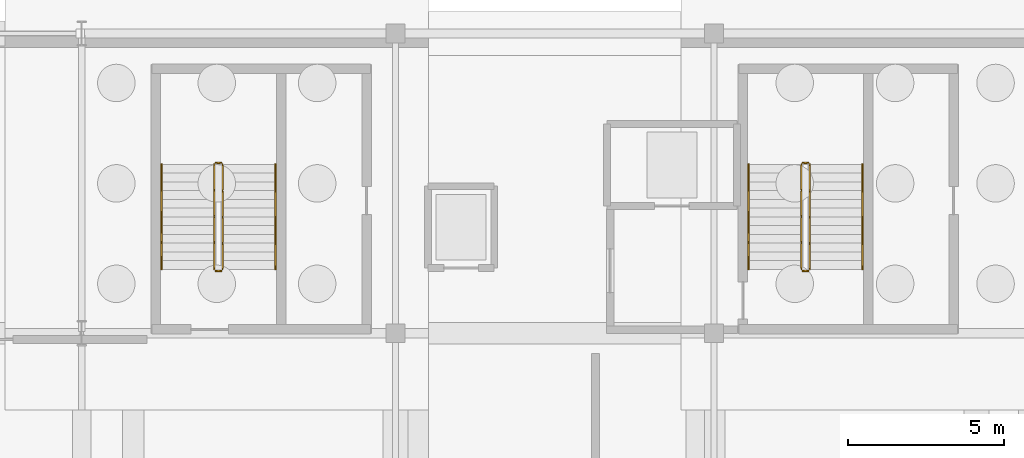
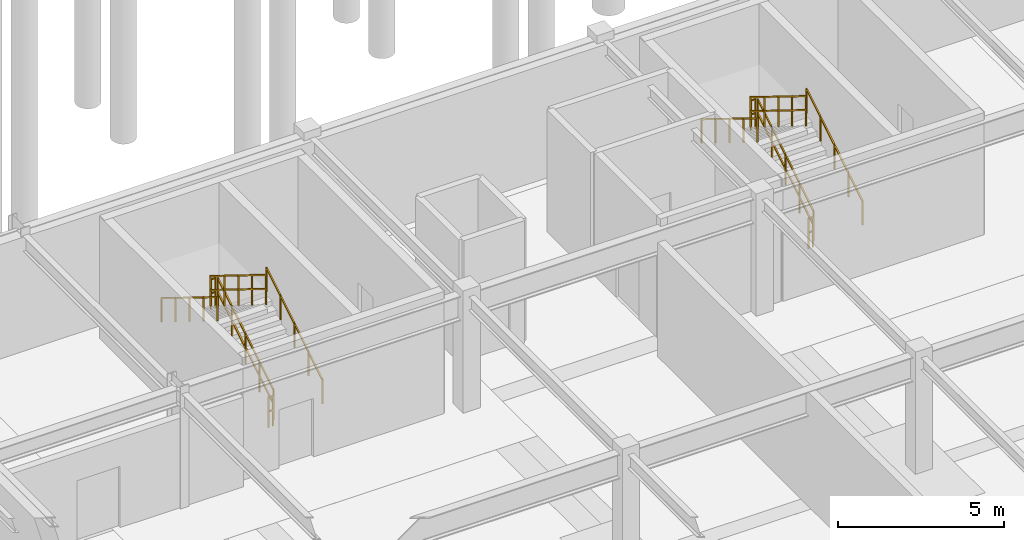
# One storey, part 51 of 59: 12 railings.
"""IFC4 building model written with IfcOpenShell, lengths in metres."""

from ifc_helpers import new_model, si_unit, direction, frame, origin, origin_2d, place, context, subcontext, project, spatial, rectangle, extrude, material, type_object, element, save


model = new_model("IFC4")

# Units and contexts
model_context = context("Model", 3, precision=1e-05, world=origin(), true_north=direction((0.0, 1.0)))
body_context = subcontext(model_context, "Body", "Model", "MODEL_VIEW")
ifc_project = project(units=[si_unit("LENGTHUNIT", "METRE"), si_unit("AREAUNIT", "SQUARE_METRE"), si_unit("VOLUMEUNIT", "CUBIC_METRE"), si_unit("PLANEANGLEUNIT", "RADIAN"), si_unit("MASSUNIT", "GRAM", prefix="KILO")], contexts=[model_context])

# Site, building, storey
site_placement = place(None, origin())
site = spatial("IfcSite", under=ifc_project, at=site_placement, CompositionType="ELEMENT")
building_placement = place(site_placement, origin())
building = spatial("IfcBuilding", under=site, at=building_placement, Name="Myrtia Square Station", CompositionType="ELEMENT")
storey_placement = place(building_placement, frame((0.0, 0.0, -4.5)))
storey = spatial("IfcBuildingStorey", under=building, at=storey_placement, Name="B01", CompositionType="ELEMENT", Elevation=-4.5)

# Railings
ifc_material_1 = material(Name="Dark bronze anodised aluminium", Category="aluminium")
railing_type_1 = type_object("IfcRailingType", Name="RL-HANDRAIL-900", PredefinedType="HANDRAIL", material=ifc_material_1)
railing_1_placement = place(storey_placement, frame((85.56005859375, 88.449951171875, 0.173095703125)))
element("IfcRailing", 1, at=railing_1_placement, inside=storey, type_object=railing_type_1, Name="B01 ST02 stair handrail 1", PredefinedType="HANDRAIL", context=body_context, shape_type="SweptSolid", body=[
    extrude(rectangle(XDim=0.048095703125, YDim=0.048095703125, at=origin_2d()), frame((0.0, 0.029541015625, 0.89404296875), z_axis=(0.0, 0.850623216509, 0.525775754039), x_axis=(-1.0, 0.0, 0.0)), (0.0, 0.0, 1.0), 0.918212890625),
    extrude(rectangle(XDim=0.048095703125, YDim=0.048095703125, at=origin_2d()), frame((0.0, 0.869384765625, 1.413330078125), z_axis=(0.0, 0.850623216509, 0.525775754039), x_axis=(-1.0, 0.0, 0.0)), (0.0, 0.0, 1.0), 0.918212890625),
    extrude(rectangle(XDim=0.048095703125, YDim=0.048095703125, at=origin_2d()), frame((0.0, 1.70947265625, 1.9326171875), z_axis=(0.0, 0.850623216509, 0.525775754039), x_axis=(-1.0, 0.0, 0.0)), (0.0, 0.0, 1.0), 0.918212890625),
    extrude(rectangle(XDim=0.048095703125, YDim=0.048095703125, at=origin_2d()), frame((0.0, 2.549560546875, 2.45166015625), z_axis=(0.0, 0.850623216509, 0.525775754039), x_axis=(-1.0, 0.0, 0.0)), (0.0, 0.0, 1.0), 0.918212890625),
    extrude(rectangle(XDim=0.0439453125, YDim=0.0439453125, at=origin_2d()), origin(), (0.0, 0.0, 1.0), 0.89990234375),
    extrude(rectangle(XDim=0.0439453125, YDim=0.0439453125, at=origin_2d()), frame((0.0, 0.840087890625, 0.519287109375)), (0.0, 0.0, 1.0), 0.89990234375),
    extrude(rectangle(XDim=0.0439453125, YDim=0.0439453125, at=origin_2d()), frame((0.0, 1.68017578125, 1.03857421875)), (0.0, 0.0, 1.0), 0.89990234375),
    extrude(rectangle(XDim=0.0439453125, YDim=0.0439453125, at=origin_2d()), frame((0.0, 2.52001953125, 1.5576171875)), (0.0, 0.0, 1.0), 0.89990234375),
    extrude(rectangle(XDim=0.0439453125, YDim=0.0439453125, at=origin_2d()), frame((0.0, 3.360107421875, 2.076904296875)), (0.0, 0.0, 1.0), 0.89990234375),
])
railing_2_placement = place(storey_placement, frame((81.89990234375, 91.81005859375, 2.423095703125)))
element("IfcRailing", 2, at=railing_2_placement, inside=storey, type_object=railing_type_1, Name="B01 ST02 stair handrail 2", PredefinedType="HANDRAIL", context=body_context, shape_type="SweptSolid", body=[
    extrude(rectangle(XDim=0.048095703125, YDim=0.048095703125, at=origin_2d()), frame((0.0, -0.029541015625, 0.89404296875), z_axis=(0.0, -0.850623216509, 0.525775754039), x_axis=(1.0, 0.0, 0.0)), (0.0, 0.0, 1.0), 0.918212890625),
    extrude(rectangle(XDim=0.048095703125, YDim=0.048095703125, at=origin_2d()), frame((0.0, -0.869384765625, 1.413330078125), z_axis=(0.0, -0.850623216509, 0.525775754039), x_axis=(1.0, 0.0, 0.0)), (0.0, 0.0, 1.0), 0.918212890625),
    extrude(rectangle(XDim=0.048095703125, YDim=0.048095703125, at=origin_2d()), frame((0.0, -1.70947265625, 1.9326171875), z_axis=(0.0, -0.850623216509, 0.525775754039), x_axis=(1.0, 0.0, 0.0)), (0.0, 0.0, 1.0), 0.918212890625),
    extrude(rectangle(XDim=0.048095703125, YDim=0.048095703125, at=origin_2d()), frame((0.0, -2.549560546875, 2.45166015625), z_axis=(0.0, -0.850623216509, 0.525775754039), x_axis=(1.0, 0.0, 0.0)), (0.0, 0.0, 1.0), 0.918212890625),
    extrude(rectangle(XDim=0.0439453125, YDim=0.0439453125, at=origin_2d()), origin(), (0.0, 0.0, 1.0), 0.89990234375),
    extrude(rectangle(XDim=0.0439453125, YDim=0.0439453125, at=origin_2d()), frame((0.0, -0.840087890625, 0.519287109375)), (0.0, 0.0, 1.0), 0.89990234375),
    extrude(rectangle(XDim=0.0439453125, YDim=0.0439453125, at=origin_2d()), frame((0.0, -1.68017578125, 1.03857421875)), (0.0, 0.0, 1.0), 0.89990234375),
    extrude(rectangle(XDim=0.0439453125, YDim=0.0439453125, at=origin_2d()), frame((0.0, -2.52001953125, 1.5576171875)), (0.0, 0.0, 1.0), 0.89990234375),
    extrude(rectangle(XDim=0.0439453125, YDim=0.0439453125, at=origin_2d()), frame((0.0, -3.360107421875, 2.076904296875)), (0.0, 0.0, 1.0), 0.89990234375),
])
railing_3_placement = place(storey_placement, frame((104.360107421875, 88.449951171875, 0.173095703125)))
element("IfcRailing", 3, at=railing_3_placement, inside=storey, type_object=railing_type_1, Name="B01 ST04 stair handrail 1", PredefinedType="HANDRAIL", context=body_context, shape_type="SweptSolid", body=[
    extrude(rectangle(XDim=0.048095703125, YDim=0.048095703125, at=origin_2d()), frame((0.0, 0.029541015625, 0.89404296875), z_axis=(0.0, 0.850623216509, 0.525775754039), x_axis=(-1.0, 0.0, 0.0)), (0.0, 0.0, 1.0), 0.918212890625),
    extrude(rectangle(XDim=0.048095703125, YDim=0.048095703125, at=origin_2d()), frame((0.0, 0.869384765625, 1.413330078125), z_axis=(0.0, 0.850623216509, 0.525775754039), x_axis=(-1.0, 0.0, 0.0)), (0.0, 0.0, 1.0), 0.918212890625),
    extrude(rectangle(XDim=0.048095703125, YDim=0.048095703125, at=origin_2d()), frame((0.0, 1.70947265625, 1.9326171875), z_axis=(0.0, 0.850623216509, 0.525775754039), x_axis=(-1.0, 0.0, 0.0)), (0.0, 0.0, 1.0), 0.918212890625),
    extrude(rectangle(XDim=0.048095703125, YDim=0.048095703125, at=origin_2d()), frame((0.0, 2.549560546875, 2.45166015625), z_axis=(0.0, 0.850623216509, 0.525775754039), x_axis=(-1.0, 0.0, 0.0)), (0.0, 0.0, 1.0), 0.918212890625),
    extrude(rectangle(XDim=0.0439453125, YDim=0.0439453125, at=origin_2d()), origin(), (0.0, 0.0, 1.0), 0.89990234375),
    extrude(rectangle(XDim=0.0439453125, YDim=0.0439453125, at=origin_2d()), frame((0.0, 0.840087890625, 0.519287109375)), (0.0, 0.0, 1.0), 0.89990234375),
    extrude(rectangle(XDim=0.0439453125, YDim=0.0439453125, at=origin_2d()), frame((0.0, 1.68017578125, 1.03857421875)), (0.0, 0.0, 1.0), 0.89990234375),
    extrude(rectangle(XDim=0.0439453125, YDim=0.0439453125, at=origin_2d()), frame((0.0, 2.52001953125, 1.5576171875)), (0.0, 0.0, 1.0), 0.89990234375),
    extrude(rectangle(XDim=0.0439453125, YDim=0.0439453125, at=origin_2d()), frame((0.0, 3.360107421875, 2.076904296875)), (0.0, 0.0, 1.0), 0.89990234375),
])
railing_4_placement = place(storey_placement, frame((100.699951171875, 91.81005859375, 2.423095703125)))
element("IfcRailing", 4, at=railing_4_placement, inside=storey, type_object=railing_type_1, Name="B01 ST04 stair handrail 2", PredefinedType="HANDRAIL", context=body_context, shape_type="SweptSolid", body=[
    extrude(rectangle(XDim=0.048095703125, YDim=0.048095703125, at=origin_2d()), frame((0.0, -0.029541015625, 0.89404296875), z_axis=(0.0, -0.850623216509, 0.525775754039), x_axis=(1.0, 0.0, 0.0)), (0.0, 0.0, 1.0), 0.918212890625),
    extrude(rectangle(XDim=0.048095703125, YDim=0.048095703125, at=origin_2d()), frame((0.0, -0.869384765625, 1.413330078125), z_axis=(0.0, -0.850623216509, 0.525775754039), x_axis=(1.0, 0.0, 0.0)), (0.0, 0.0, 1.0), 0.918212890625),
    extrude(rectangle(XDim=0.048095703125, YDim=0.048095703125, at=origin_2d()), frame((0.0, -1.70947265625, 1.9326171875), z_axis=(0.0, -0.850623216509, 0.525775754039), x_axis=(1.0, 0.0, 0.0)), (0.0, 0.0, 1.0), 0.918212890625),
    extrude(rectangle(XDim=0.048095703125, YDim=0.048095703125, at=origin_2d()), frame((0.0, -2.549560546875, 2.45166015625), z_axis=(0.0, -0.850623216509, 0.525775754039), x_axis=(1.0, 0.0, 0.0)), (0.0, 0.0, 1.0), 0.918212890625),
    extrude(rectangle(XDim=0.0439453125, YDim=0.0439453125, at=origin_2d()), origin(), (0.0, 0.0, 1.0), 0.89990234375),
    extrude(rectangle(XDim=0.0439453125, YDim=0.0439453125, at=origin_2d()), frame((0.0, -0.840087890625, 0.519287109375)), (0.0, 0.0, 1.0), 0.89990234375),
    extrude(rectangle(XDim=0.0439453125, YDim=0.0439453125, at=origin_2d()), frame((0.0, -1.68017578125, 1.03857421875)), (0.0, 0.0, 1.0), 0.89990234375),
    extrude(rectangle(XDim=0.0439453125, YDim=0.0439453125, at=origin_2d()), frame((0.0, -2.52001953125, 1.5576171875)), (0.0, 0.0, 1.0), 0.89990234375),
    extrude(rectangle(XDim=0.0439453125, YDim=0.0439453125, at=origin_2d()), frame((0.0, -3.360107421875, 2.076904296875)), (0.0, 0.0, 1.0), 0.89990234375),
])
ifc_material_2 = material(Name="Wrought iron", Category="steel")
railing_type_2 = type_object("IfcRailingType", Name="RL-INT-GUARD-1100", PredefinedType="BALUSTRADE", material=ifc_material_2)
railing_5_placement = place(storey_placement, frame((83.860107421875, 88.449951171875, 0.173095703125)))
element("IfcRailing", 5, at=railing_5_placement, inside=storey, type_object=railing_type_2, Name="B01 ST02 stair guard 1", PredefinedType="BALUSTRADE", context=body_context, shape_type="SweptSolid", body=[
    extrude(rectangle(XDim=0.048095703125, YDim=0.048095703125, at=origin_2d()), frame((0.0, 0.029541015625, 1.1142578125), z_axis=(0.0, 0.850623216509, 0.525775754039), x_axis=(-1.0, 0.0, 0.0)), (0.0, 0.0, 1.0), 0.918212890625),
    extrude(rectangle(XDim=0.048095703125, YDim=0.048095703125, at=origin_2d()), frame((0.0, 0.029541015625, 0.6005859375), z_axis=(0.0, 0.850623216509, 0.525775754039), x_axis=(-1.0, 0.0, 0.0)), (0.0, 0.0, 1.0), 0.918212890625),
    extrude(rectangle(XDim=0.048095703125, YDim=0.048095703125, at=origin_2d()), frame((0.0, 0.869384765625, 1.633544921875), z_axis=(0.0, 0.850623216509, 0.525775754039), x_axis=(-1.0, 0.0, 0.0)), (0.0, 0.0, 1.0), 0.918212890625),
    extrude(rectangle(XDim=0.048095703125, YDim=0.048095703125, at=origin_2d()), frame((0.0, 0.869384765625, 1.119873046875), z_axis=(0.0, 0.850623216509, 0.525775754039), x_axis=(-1.0, 0.0, 0.0)), (0.0, 0.0, 1.0), 0.918212890625),
    extrude(rectangle(XDim=0.048095703125, YDim=0.048095703125, at=origin_2d()), frame((0.0, 1.70947265625, 2.15283203125), z_axis=(0.0, 0.850623216509, 0.525775754039), x_axis=(-1.0, 0.0, 0.0)), (0.0, 0.0, 1.0), 0.918212890625),
    extrude(rectangle(XDim=0.048095703125, YDim=0.048095703125, at=origin_2d()), frame((0.0, 1.70947265625, 1.63916015625), z_axis=(0.0, 0.850623216509, 0.525775754039), x_axis=(-1.0, 0.0, 0.0)), (0.0, 0.0, 1.0), 0.918212890625),
    extrude(rectangle(XDim=0.048095703125, YDim=0.048095703125, at=origin_2d()), frame((0.0, 2.549560546875, 2.671875), z_axis=(0.0, 0.850623216509, 0.525775754039), x_axis=(-1.0, 0.0, 0.0)), (0.0, 0.0, 1.0), 0.918212890625),
    extrude(rectangle(XDim=0.048095703125, YDim=0.048095703125, at=origin_2d()), frame((0.0, 2.549560546875, 2.158447265625), z_axis=(0.0, 0.850623216509, 0.525775754039), x_axis=(-1.0, 0.0, 0.0)), (0.0, 0.0, 1.0), 0.918212890625),
    extrude(rectangle(XDim=0.0439453125, YDim=0.0439453125, at=origin_2d()), origin(), (0.0, 0.0, 1.0), 1.1201171875),
    extrude(rectangle(XDim=0.0439453125, YDim=0.0439453125, at=origin_2d()), frame((0.0, 0.840087890625, 0.519287109375)), (0.0, 0.0, 1.0), 1.1201171875),
    extrude(rectangle(XDim=0.0439453125, YDim=0.0439453125, at=origin_2d()), frame((0.0, 1.68017578125, 1.03857421875)), (0.0, 0.0, 1.0), 1.1201171875),
    extrude(rectangle(XDim=0.0439453125, YDim=0.0439453125, at=origin_2d()), frame((0.0, 2.52001953125, 1.5576171875)), (0.0, 0.0, 1.0), 1.1201171875),
    extrude(rectangle(XDim=0.0439453125, YDim=0.0439453125, at=origin_2d()), frame((0.0, 3.360107421875, 2.076904296875)), (0.0, 0.0, 1.0), 1.1201171875),
])
railing_6_placement = place(storey_placement, frame((83.81005859375, 91.860107421875, 2.25)))
element("IfcRailing", 6, at=railing_6_placement, inside=storey, type_object=railing_type_2, Name="B01 ST02 stair guard 2", PredefinedType="BALUSTRADE", context=body_context, shape_type="SweptSolid", body=[
    extrude(rectangle(XDim=0.048095703125, YDim=0.048095703125, at=origin_2d()), frame((-0.03466796875, 0.0, 1.09619140625), z_axis=(-1.0, 0.0, 0.0), x_axis=(0.0, -1.0, 0.0)), (0.0, 0.0, 1.0), 0.0908203125),
    extrude(rectangle(XDim=0.048095703125, YDim=0.048095703125, at=origin_2d()), frame((-0.03466796875, 0.0, 0.58251953125), z_axis=(-1.0, 0.0, 0.0), x_axis=(0.0, -1.0, 0.0)), (0.0, 0.0, 1.0), 0.0908203125),
    extrude(rectangle(XDim=0.0439453125, YDim=0.0439453125, at=origin_2d()), origin(), (0.0, 0.0, 1.0), 1.1201171875),
    extrude(rectangle(XDim=0.0439453125, YDim=0.0439453125, at=origin_2d()), frame((-0.16015625, 0.0, 0.0)), (0.0, 0.0, 1.0), 1.1201171875),
])
railing_7_placement = place(storey_placement, frame((83.60009765625, 91.81005859375, 2.423095703125)))
element("IfcRailing", 7, at=railing_7_placement, inside=storey, type_object=railing_type_2, Name="B01 ST02 stair guard 3", PredefinedType="BALUSTRADE", context=body_context, shape_type="SweptSolid", body=[
    extrude(rectangle(XDim=0.048095703125, YDim=0.048095703125, at=origin_2d()), frame((0.0, -0.029541015625, 1.1142578125), z_axis=(0.0, -0.850623216509, 0.525775754039), x_axis=(1.0, 0.0, 0.0)), (0.0, 0.0, 1.0), 0.918212890625),
    extrude(rectangle(XDim=0.048095703125, YDim=0.048095703125, at=origin_2d()), frame((0.0, -0.029541015625, 0.6005859375), z_axis=(0.0, -0.850623216509, 0.525775754039), x_axis=(1.0, 0.0, 0.0)), (0.0, 0.0, 1.0), 0.918212890625),
    extrude(rectangle(XDim=0.048095703125, YDim=0.048095703125, at=origin_2d()), frame((0.0, -0.869384765625, 1.633544921875), z_axis=(0.0, -0.850623216509, 0.525775754039), x_axis=(1.0, 0.0, 0.0)), (0.0, 0.0, 1.0), 0.918212890625),
    extrude(rectangle(XDim=0.048095703125, YDim=0.048095703125, at=origin_2d()), frame((0.0, -0.869384765625, 1.119873046875), z_axis=(0.0, -0.850623216509, 0.525775754039), x_axis=(1.0, 0.0, 0.0)), (0.0, 0.0, 1.0), 0.918212890625),
    extrude(rectangle(XDim=0.048095703125, YDim=0.048095703125, at=origin_2d()), frame((0.0, -1.70947265625, 2.15283203125), z_axis=(0.0, -0.850623216509, 0.525775754039), x_axis=(1.0, 0.0, 0.0)), (0.0, 0.0, 1.0), 0.918212890625),
    extrude(rectangle(XDim=0.048095703125, YDim=0.048095703125, at=origin_2d()), frame((0.0, -1.70947265625, 1.63916015625), z_axis=(0.0, -0.850623216509, 0.525775754039), x_axis=(1.0, 0.0, 0.0)), (0.0, 0.0, 1.0), 0.918212890625),
    extrude(rectangle(XDim=0.048095703125, YDim=0.048095703125, at=origin_2d()), frame((0.0, -2.549560546875, 2.671875), z_axis=(0.0, -0.850623216509, 0.525775754039), x_axis=(1.0, 0.0, 0.0)), (0.0, 0.0, 1.0), 0.918212890625),
    extrude(rectangle(XDim=0.048095703125, YDim=0.048095703125, at=origin_2d()), frame((0.0, -2.549560546875, 2.158447265625), z_axis=(0.0, -0.850623216509, 0.525775754039), x_axis=(1.0, 0.0, 0.0)), (0.0, 0.0, 1.0), 0.918212890625),
    extrude(rectangle(XDim=0.0439453125, YDim=0.0439453125, at=origin_2d()), origin(), (0.0, 0.0, 1.0), 1.1201171875),
    extrude(rectangle(XDim=0.0439453125, YDim=0.0439453125, at=origin_2d()), frame((0.0, -0.840087890625, 0.519287109375)), (0.0, 0.0, 1.0), 1.1201171875),
    extrude(rectangle(XDim=0.0439453125, YDim=0.0439453125, at=origin_2d()), frame((0.0, -1.68017578125, 1.03857421875)), (0.0, 0.0, 1.0), 1.1201171875),
    extrude(rectangle(XDim=0.0439453125, YDim=0.0439453125, at=origin_2d()), frame((0.0, -2.52001953125, 1.5576171875)), (0.0, 0.0, 1.0), 1.1201171875),
    extrude(rectangle(XDim=0.0439453125, YDim=0.0439453125, at=origin_2d()), frame((0.0, -3.360107421875, 2.076904296875)), (0.0, 0.0, 1.0), 1.1201171875),
])
railing_8_placement = place(storey_placement, frame((83.81005859375, 88.39990234375, 0.0)))
element("IfcRailing", 8, at=railing_8_placement, inside=storey, type_object=railing_type_2, Name="B01 ST02 stair guard 4", PredefinedType="BALUSTRADE", context=body_context, shape_type="SweptSolid", body=[
    extrude(rectangle(XDim=0.048095703125, YDim=0.048095703125, at=origin_2d()), frame((-0.03466796875, 0.0, 1.09619140625), z_axis=(-1.0, 0.0, 0.0), x_axis=(0.0, -1.0, 0.0)), (0.0, 0.0, 1.0), 0.0908203125),
    extrude(rectangle(XDim=0.048095703125, YDim=0.048095703125, at=origin_2d()), frame((-0.03466796875, 0.0, 0.58251953125), z_axis=(-1.0, 0.0, 0.0), x_axis=(0.0, -1.0, 0.0)), (0.0, 0.0, 1.0), 0.0908203125),
    extrude(rectangle(XDim=0.0439453125, YDim=0.0439453125, at=origin_2d()), origin(), (0.0, 0.0, 1.0), 1.1201171875),
    extrude(rectangle(XDim=0.0439453125, YDim=0.0439453125, at=origin_2d()), frame((-0.16015625, 0.0, 0.0)), (0.0, 0.0, 1.0), 1.1201171875),
])
railing_9_placement = place(storey_placement, frame((102.659912109375, 88.449951171875, 0.173095703125)))
element("IfcRailing", 9, at=railing_9_placement, inside=storey, type_object=railing_type_2, Name="B01 ST04 stair guard 1", PredefinedType="BALUSTRADE", context=body_context, shape_type="SweptSolid", body=[
    extrude(rectangle(XDim=0.048095703125, YDim=0.048095703125, at=origin_2d()), frame((0.0, 0.029541015625, 1.1142578125), z_axis=(0.0, 0.850623216509, 0.525775754039), x_axis=(-1.0, 0.0, 0.0)), (0.0, 0.0, 1.0), 0.918212890625),
    extrude(rectangle(XDim=0.048095703125, YDim=0.048095703125, at=origin_2d()), frame((0.0, 0.029541015625, 0.6005859375), z_axis=(0.0, 0.850623216509, 0.525775754039), x_axis=(-1.0, 0.0, 0.0)), (0.0, 0.0, 1.0), 0.918212890625),
    extrude(rectangle(XDim=0.048095703125, YDim=0.048095703125, at=origin_2d()), frame((0.0, 0.869384765625, 1.633544921875), z_axis=(0.0, 0.850623216509, 0.525775754039), x_axis=(-1.0, 0.0, 0.0)), (0.0, 0.0, 1.0), 0.918212890625),
    extrude(rectangle(XDim=0.048095703125, YDim=0.048095703125, at=origin_2d()), frame((0.0, 0.869384765625, 1.119873046875), z_axis=(0.0, 0.850623216509, 0.525775754039), x_axis=(-1.0, 0.0, 0.0)), (0.0, 0.0, 1.0), 0.918212890625),
    extrude(rectangle(XDim=0.048095703125, YDim=0.048095703125, at=origin_2d()), frame((0.0, 1.70947265625, 2.15283203125), z_axis=(0.0, 0.850623216509, 0.525775754039), x_axis=(-1.0, 0.0, 0.0)), (0.0, 0.0, 1.0), 0.918212890625),
    extrude(rectangle(XDim=0.048095703125, YDim=0.048095703125, at=origin_2d()), frame((0.0, 1.70947265625, 1.63916015625), z_axis=(0.0, 0.850623216509, 0.525775754039), x_axis=(-1.0, 0.0, 0.0)), (0.0, 0.0, 1.0), 0.918212890625),
    extrude(rectangle(XDim=0.048095703125, YDim=0.048095703125, at=origin_2d()), frame((0.0, 2.549560546875, 2.671875), z_axis=(0.0, 0.850623216509, 0.525775754039), x_axis=(-1.0, 0.0, 0.0)), (0.0, 0.0, 1.0), 0.918212890625),
    extrude(rectangle(XDim=0.048095703125, YDim=0.048095703125, at=origin_2d()), frame((0.0, 2.549560546875, 2.158447265625), z_axis=(0.0, 0.850623216509, 0.525775754039), x_axis=(-1.0, 0.0, 0.0)), (0.0, 0.0, 1.0), 0.918212890625),
    extrude(rectangle(XDim=0.0439453125, YDim=0.0439453125, at=origin_2d()), origin(), (0.0, 0.0, 1.0), 1.1201171875),
    extrude(rectangle(XDim=0.0439453125, YDim=0.0439453125, at=origin_2d()), frame((0.0, 0.840087890625, 0.519287109375)), (0.0, 0.0, 1.0), 1.1201171875),
    extrude(rectangle(XDim=0.0439453125, YDim=0.0439453125, at=origin_2d()), frame((0.0, 1.68017578125, 1.03857421875)), (0.0, 0.0, 1.0), 1.1201171875),
    extrude(rectangle(XDim=0.0439453125, YDim=0.0439453125, at=origin_2d()), frame((0.0, 2.52001953125, 1.5576171875)), (0.0, 0.0, 1.0), 1.1201171875),
    extrude(rectangle(XDim=0.0439453125, YDim=0.0439453125, at=origin_2d()), frame((0.0, 3.360107421875, 2.076904296875)), (0.0, 0.0, 1.0), 1.1201171875),
])
railing_10_placement = place(storey_placement, frame((102.610107421875, 91.860107421875, 2.25)))
element("IfcRailing", 10, at=railing_10_placement, inside=storey, type_object=railing_type_2, Name="B01 ST04 stair guard 2", PredefinedType="BALUSTRADE", context=body_context, shape_type="SweptSolid", body=[
    extrude(rectangle(XDim=0.048095703125, YDim=0.048095703125, at=origin_2d()), frame((-0.03466796875, 0.0, 1.09619140625), z_axis=(-1.0, 0.0, 0.0), x_axis=(0.0, -1.0, 0.0)), (0.0, 0.0, 1.0), 0.0908203125),
    extrude(rectangle(XDim=0.048095703125, YDim=0.048095703125, at=origin_2d()), frame((-0.03466796875, 0.0, 0.58251953125), z_axis=(-1.0, 0.0, 0.0), x_axis=(0.0, -1.0, 0.0)), (0.0, 0.0, 1.0), 0.0908203125),
    extrude(rectangle(XDim=0.0439453125, YDim=0.0439453125, at=origin_2d()), origin(), (0.0, 0.0, 1.0), 1.1201171875),
    extrude(rectangle(XDim=0.0439453125, YDim=0.0439453125, at=origin_2d()), frame((-0.16015625, 0.0, 0.0)), (0.0, 0.0, 1.0), 1.1201171875),
])
railing_11_placement = place(storey_placement, frame((102.39990234375, 91.81005859375, 2.423095703125)))
element("IfcRailing", 11, at=railing_11_placement, inside=storey, type_object=railing_type_2, Name="B01 ST04 stair guard 3", PredefinedType="BALUSTRADE", context=body_context, shape_type="SweptSolid", body=[
    extrude(rectangle(XDim=0.048095703125, YDim=0.048095703125, at=origin_2d()), frame((0.0, -0.029541015625, 1.1142578125), z_axis=(0.0, -0.850623216509, 0.525775754039), x_axis=(1.0, 0.0, 0.0)), (0.0, 0.0, 1.0), 0.918212890625),
    extrude(rectangle(XDim=0.048095703125, YDim=0.048095703125, at=origin_2d()), frame((0.0, -0.029541015625, 0.6005859375), z_axis=(0.0, -0.850623216509, 0.525775754039), x_axis=(1.0, 0.0, 0.0)), (0.0, 0.0, 1.0), 0.918212890625),
    extrude(rectangle(XDim=0.048095703125, YDim=0.048095703125, at=origin_2d()), frame((0.0, -0.869384765625, 1.633544921875), z_axis=(0.0, -0.850623216509, 0.525775754039), x_axis=(1.0, 0.0, 0.0)), (0.0, 0.0, 1.0), 0.918212890625),
    extrude(rectangle(XDim=0.048095703125, YDim=0.048095703125, at=origin_2d()), frame((0.0, -0.869384765625, 1.119873046875), z_axis=(0.0, -0.850623216509, 0.525775754039), x_axis=(1.0, 0.0, 0.0)), (0.0, 0.0, 1.0), 0.918212890625),
    extrude(rectangle(XDim=0.048095703125, YDim=0.048095703125, at=origin_2d()), frame((0.0, -1.70947265625, 2.15283203125), z_axis=(0.0, -0.850623216509, 0.525775754039), x_axis=(1.0, 0.0, 0.0)), (0.0, 0.0, 1.0), 0.918212890625),
    extrude(rectangle(XDim=0.048095703125, YDim=0.048095703125, at=origin_2d()), frame((0.0, -1.70947265625, 1.63916015625), z_axis=(0.0, -0.850623216509, 0.525775754039), x_axis=(1.0, 0.0, 0.0)), (0.0, 0.0, 1.0), 0.918212890625),
    extrude(rectangle(XDim=0.048095703125, YDim=0.048095703125, at=origin_2d()), frame((0.0, -2.549560546875, 2.671875), z_axis=(0.0, -0.850623216509, 0.525775754039), x_axis=(1.0, 0.0, 0.0)), (0.0, 0.0, 1.0), 0.918212890625),
    extrude(rectangle(XDim=0.048095703125, YDim=0.048095703125, at=origin_2d()), frame((0.0, -2.549560546875, 2.158447265625), z_axis=(0.0, -0.850623216509, 0.525775754039), x_axis=(1.0, 0.0, 0.0)), (0.0, 0.0, 1.0), 0.918212890625),
    extrude(rectangle(XDim=0.0439453125, YDim=0.0439453125, at=origin_2d()), origin(), (0.0, 0.0, 1.0), 1.1201171875),
    extrude(rectangle(XDim=0.0439453125, YDim=0.0439453125, at=origin_2d()), frame((0.0, -0.840087890625, 0.519287109375)), (0.0, 0.0, 1.0), 1.1201171875),
    extrude(rectangle(XDim=0.0439453125, YDim=0.0439453125, at=origin_2d()), frame((0.0, -1.68017578125, 1.03857421875)), (0.0, 0.0, 1.0), 1.1201171875),
    extrude(rectangle(XDim=0.0439453125, YDim=0.0439453125, at=origin_2d()), frame((0.0, -2.52001953125, 1.5576171875)), (0.0, 0.0, 1.0), 1.1201171875),
    extrude(rectangle(XDim=0.0439453125, YDim=0.0439453125, at=origin_2d()), frame((0.0, -3.360107421875, 2.076904296875)), (0.0, 0.0, 1.0), 1.1201171875),
])
railing_12_placement = place(storey_placement, frame((102.610107421875, 88.39990234375, 0.0)))
element("IfcRailing", 12, at=railing_12_placement, inside=storey, type_object=railing_type_2, Name="B01 ST04 stair guard 4", PredefinedType="BALUSTRADE", context=body_context, shape_type="SweptSolid", body=[
    extrude(rectangle(XDim=0.048095703125, YDim=0.048095703125, at=origin_2d()), frame((-0.03466796875, 0.0, 1.09619140625), z_axis=(-1.0, 0.0, 0.0), x_axis=(0.0, -1.0, 0.0)), (0.0, 0.0, 1.0), 0.0908203125),
    extrude(rectangle(XDim=0.048095703125, YDim=0.048095703125, at=origin_2d()), frame((-0.03466796875, 0.0, 0.58251953125), z_axis=(-1.0, 0.0, 0.0), x_axis=(0.0, -1.0, 0.0)), (0.0, 0.0, 1.0), 0.0908203125),
    extrude(rectangle(XDim=0.0439453125, YDim=0.0439453125, at=origin_2d()), origin(), (0.0, 0.0, 1.0), 1.1201171875),
    extrude(rectangle(XDim=0.0439453125, YDim=0.0439453125, at=origin_2d()), frame((-0.16015625, 0.0, 0.0)), (0.0, 0.0, 1.0), 1.1201171875),
])

save(model, "model.ifc")
